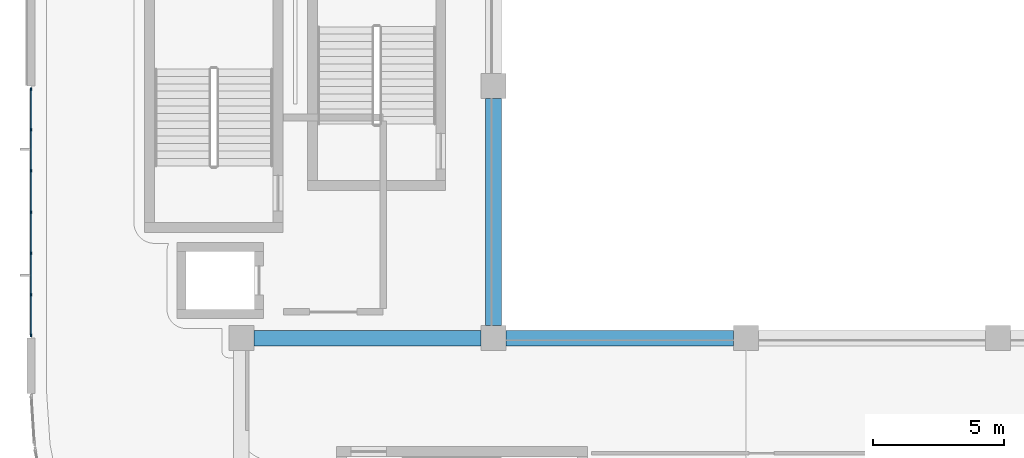
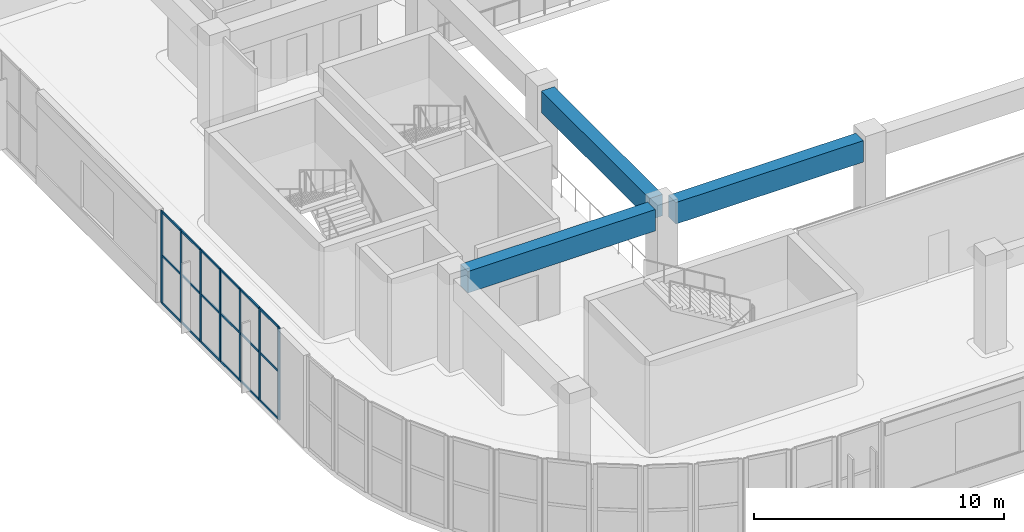
# One storey, part 7 of 86: 25 members, 3 beams, 1 element without a shape of its own.
"""IFC4 building model written with IfcOpenShell, lengths in metres."""

from ifc_helpers import new_model, si_unit, direction, frame, origin, origin_2d, place, context, subcontext, project, spatial, rectangle, extrude, material, layer, layer_set, material_profile, profile_set, type_object, element, aggregate, save


model = new_model("IFC4")

# Units and contexts
model_context = context("Model", 3, precision=1e-05, world=origin(), true_north=direction((0.0, 1.0)))
body_context = subcontext(model_context, "Body", "Model", "MODEL_VIEW")
ifc_project = project(units=[si_unit("LENGTHUNIT", "METRE"), si_unit("AREAUNIT", "SQUARE_METRE"), si_unit("VOLUMEUNIT", "CUBIC_METRE"), si_unit("PLANEANGLEUNIT", "RADIAN"), si_unit("MASSUNIT", "GRAM", prefix="KILO")], contexts=[model_context])

# Site, building, storey
site_placement = place(None, origin())
site = spatial("IfcSite", under=ifc_project, at=site_placement, CompositionType="ELEMENT")
building_placement = place(site_placement, origin())
building = spatial("IfcBuilding", under=site, at=building_placement, Name="Cendralis Terraced Arcade", CompositionType="ELEMENT")
storey_placement = place(building_placement, frame((0.0, 0.0, 5.39990234375)))
storey = spatial("IfcBuildingStorey", under=building, at=storey_placement, Name="L01", CompositionType="ELEMENT", Elevation=5.39990234375)

# Beams
ifc_material_1 = material(Name="Concrete f'c 35 MPa", Category="concrete")
ifc_material_profile_1 = material_profile(ifc_material_1, rectangle(XDim=0.60009765625, YDim=1.050048828125, at=origin_2d()), Name="RC-BM-600x1050", Category="LoadBearing")
ifc_profile_set_1 = profile_set([ifc_material_profile_1], Name="Concrete f'c 35 MPa")
beam_type = type_object("IfcBeamType", Name="BM-600x1050", PredefinedType="JOIST", material=ifc_profile_set_1)
beam_placement = place(storey_placement, frame((10.074951171875, 19.199951171875, 3.97998046875), z_axis=(1.0, 0.0, 0.0), x_axis=(0.0, 1.0, 0.0)))
element("IfcBeam", 1, at=beam_placement, inside=storey, type_object=beam_type, Name="Reinforced Concrete Frame Beam BM-X-L02-C-2_3", PredefinedType="JOIST", context=body_context, shape_type="SweptSolid", body=[
    extrude(rectangle(XDim=0.60009765625, YDim=1.050048828125, at=origin_2d()), origin(), (0.0, 0.0, 1.0), 8.650146484375),
])
for number, where, z_axis, x_axis, name in (
    (2, (19.675048828125, 19.199951171875, 3.97998046875), (1.0, 0.0, 0.0), (0.0, 1.0, 0.0), "Reinforced Concrete Frame Beam BM-X-L02-C-3_4"),
    (3, (19.199951171875, 19.675048828125, 3.97998046875), (0.0, 1.0, 0.0), (-1.0, 0.0, 0.0), "Reinforced Concrete Frame Beam BM-Y-L02-3-C_D"),
):
    element("IfcBeam", number, at=place(storey_placement, frame(where, z_axis=z_axis, x_axis=x_axis)), inside=storey, type_object=beam_type, Name=name, PredefinedType="JOIST", context=body_context, shape_type="SweptSolid", body=[
        extrude(rectangle(XDim=0.60009765625, YDim=1.050048828125, at=origin_2d()), origin(), (0.0, 0.0, 1.0), 8.64990234375),
    ])

# Curtain wall, members
ifc_material_2 = material(Name="Anodised aluminium EN AW-6063 T6", Category="aluminium")
ifc_layer = layer(ifc_material_2, 0.1201171875, Name="CW-STORE-B")
ifc_layer_set = layer_set([ifc_layer], Name="Anodised aluminium EN AW-6063 T6")
curtain_wall_type = type_object("IfcCurtainWallType", Name="CW-STORE-B", PredefinedType="USERDEFINED", material=ifc_layer_set)
curtain_wall_placement = place(storey_placement, origin())
curtain_wall = element("IfcCurtainWall", 4, at=curtain_wall_placement, inside=storey, type_object=curtain_wall_type, Name="Exterior Storefront Glazing CW-L01-0108", ObjectType="STOREFRONT GLAZING", PredefinedType="USERDEFINED")
ifc_material_profile_2 = material_profile(ifc_material_2, rectangle(XDim=0.054931640625, YDim=0.1201171875, at=origin_2d()), Name="ALU-MUL-55x120")
ifc_profile_set_2 = profile_set([ifc_material_profile_2], Name="Anodised aluminium EN AW-6063 T6")
member_type_1 = type_object("IfcMemberType", Name="CW-STORE-B-MUL", PredefinedType="MULLION", material=ifc_profile_set_2)
member_1_placement = place(storey_placement, frame((1.60009765625, 19.3173828125, 0.0), z_axis=(0.0, 0.0, 1.0), x_axis=(-1.0, 0.0, 0.0)))
member_1 = element("IfcMember", 5, at=member_1_placement, type_object=member_type_1, Name="CW-S2 mullion 1", PredefinedType="MULLION", context=body_context, shape_type="SweptSolid", body=[
    extrude(rectangle(XDim=0.054931640625, YDim=0.1201171875, at=origin_2d()), origin(), (0.0, 0.0, 1.0), 4.505126953125),
])
member_2_placement = place(storey_placement, frame((1.60009765625, 20.860107421875, 0.0), z_axis=(0.0, 0.0, 1.0), x_axis=(-1.0, 0.0, 0.0)))
member_2 = element("IfcMember", 6, at=member_2_placement, type_object=member_type_1, Name="CW-S2 mullion 2", PredefinedType="MULLION", context=body_context, shape_type="SweptSolid", body=[
    extrude(rectangle(XDim=0.054931640625, YDim=0.1201171875, at=origin_2d()), origin(), (0.0, 0.0, 1.0), 4.505126953125),
])
member_3_placement = place(storey_placement, frame((1.60009765625, 22.429931640625, 0.0), z_axis=(0.0, 0.0, 1.0), x_axis=(-1.0, 0.0, 0.0)))
member_3 = element("IfcMember", 7, at=member_3_placement, type_object=member_type_1, Name="CW-S2 mullion 3", PredefinedType="MULLION", context=body_context, shape_type="SweptSolid", body=[
    extrude(rectangle(XDim=0.054931640625, YDim=0.1201171875, at=origin_2d()), origin(), (0.0, 0.0, 1.0), 4.505126953125),
])
member_4_placement = place(storey_placement, frame((1.60009765625, 24.0, 0.0), z_axis=(0.0, 0.0, 1.0), x_axis=(-1.0, 0.0, 0.0)))
member_4 = element("IfcMember", 8, at=member_4_placement, type_object=member_type_1, Name="CW-S2 mullion 4", PredefinedType="MULLION", context=body_context, shape_type="SweptSolid", body=[
    extrude(rectangle(XDim=0.054931640625, YDim=0.1201171875, at=origin_2d()), origin(), (0.0, 0.0, 1.0), 4.505126953125),
])
member_5_placement = place(storey_placement, frame((1.60009765625, 25.570068359375, 0.0), z_axis=(0.0, 0.0, 1.0), x_axis=(-1.0, 0.0, 0.0)))
member_5 = element("IfcMember", 9, at=member_5_placement, type_object=member_type_1, Name="CW-S2 mullion 5", PredefinedType="MULLION", context=body_context, shape_type="SweptSolid", body=[
    extrude(rectangle(XDim=0.054931640625, YDim=0.1201171875, at=origin_2d()), origin(), (0.0, 0.0, 1.0), 4.505126953125),
])
member_6_placement = place(storey_placement, frame((1.60009765625, 27.139892578125, 0.0), z_axis=(0.0, 0.0, 1.0), x_axis=(-1.0, 0.0, 0.0)))
member_6 = element("IfcMember", 10, at=member_6_placement, type_object=member_type_1, Name="CW-S2 mullion 6", PredefinedType="MULLION", context=body_context, shape_type="SweptSolid", body=[
    extrude(rectangle(XDim=0.054931640625, YDim=0.1201171875, at=origin_2d()), origin(), (0.0, 0.0, 1.0), 4.505126953125),
])
member_7_placement = place(storey_placement, frame((1.60009765625, 28.6826171875, 0.0), z_axis=(0.0, 0.0, 1.0), x_axis=(-1.0, 0.0, 0.0)))
member_7 = element("IfcMember", 11, at=member_7_placement, type_object=member_type_1, Name="CW-S2 mullion 7", PredefinedType="MULLION", context=body_context, shape_type="SweptSolid", body=[
    extrude(rectangle(XDim=0.054931640625, YDim=0.1201171875, at=origin_2d()), origin(), (0.0, 0.0, 1.0), 4.505126953125),
])
ifc_material_profile_3 = material_profile(ifc_material_2, rectangle(XDim=0.054931640625, YDim=0.10009765625, at=origin_2d()), Name="ALU-TRN-55x100")
ifc_profile_set_3 = profile_set([ifc_material_profile_3], Name="Anodised aluminium EN AW-6063 T6")
member_type_2 = type_object("IfcMemberType", Name="CW-STORE-B-TRN", PredefinedType="USERDEFINED", material=ifc_profile_set_3)
member_8_placement = place(storey_placement, frame((1.60009765625, 19.344970703125, 0.027587890625), z_axis=(0.0, 1.0, 0.0), x_axis=(-1.0, 0.0, 0.0)))
member_8 = element("IfcMember", 12, at=member_8_placement, type_object=member_type_2, Name="CW-S2 transom 1.1", ObjectType="TRANSOM", PredefinedType="USERDEFINED", context=body_context, shape_type="SweptSolid", body=[
    extrude(rectangle(XDim=0.054931640625, YDim=0.10009765625, at=origin_2d()), origin(), (0.0, 0.0, 1.0), 1.487548828125),
])
member_9_placement = place(storey_placement, frame((1.60009765625, 19.344970703125, 2.3427734375), z_axis=(0.0, 1.0, 0.0), x_axis=(-1.0, 0.0, 0.0)))
member_9 = element("IfcMember", 13, at=member_9_placement, type_object=member_type_2, Name="CW-S2 transom 1.2", ObjectType="TRANSOM", PredefinedType="USERDEFINED", context=body_context, shape_type="SweptSolid", body=[
    extrude(rectangle(XDim=0.054931640625, YDim=0.10009765625, at=origin_2d()), origin(), (0.0, 0.0, 1.0), 1.487548828125),
])
member_10_placement = place(storey_placement, frame((1.60009765625, 19.344970703125, 4.4775390625), z_axis=(0.0, 1.0, 0.0), x_axis=(-1.0, 0.0, 0.0)))
member_10 = element("IfcMember", 14, at=member_10_placement, type_object=member_type_2, Name="CW-S2 transom 1.3", ObjectType="TRANSOM", PredefinedType="USERDEFINED", context=body_context, shape_type="SweptSolid", body=[
    extrude(rectangle(XDim=0.054931640625, YDim=0.10009765625, at=origin_2d()), origin(), (0.0, 0.0, 1.0), 1.487548828125),
])
member_11_placement = place(storey_placement, frame((1.60009765625, 20.887451171875, 0.027587890625), z_axis=(0.0, 1.0, 0.0), x_axis=(-1.0, 0.0, 0.0)))
member_11 = element("IfcMember", 15, at=member_11_placement, type_object=member_type_2, Name="CW-S2 transom 2.1", ObjectType="TRANSOM", PredefinedType="USERDEFINED", context=body_context, shape_type="SweptSolid", body=[
    extrude(rectangle(XDim=0.054931640625, YDim=0.10009765625, at=origin_2d()), origin(), (0.0, 0.0, 1.0), 1.51513671875),
])
member_12_placement = place(storey_placement, frame((1.60009765625, 20.887451171875, 2.3427734375), z_axis=(0.0, 1.0, 0.0), x_axis=(-1.0, 0.0, 0.0)))
member_12 = element("IfcMember", 16, at=member_12_placement, type_object=member_type_2, Name="CW-S2 transom 2.2", ObjectType="TRANSOM", PredefinedType="USERDEFINED", context=body_context, shape_type="SweptSolid", body=[
    extrude(rectangle(XDim=0.054931640625, YDim=0.10009765625, at=origin_2d()), origin(), (0.0, 0.0, 1.0), 1.51513671875),
])
member_13_placement = place(storey_placement, frame((1.60009765625, 20.887451171875, 4.4775390625), z_axis=(0.0, 1.0, 0.0), x_axis=(-1.0, 0.0, 0.0)))
member_13 = element("IfcMember", 17, at=member_13_placement, type_object=member_type_2, Name="CW-S2 transom 2.3", ObjectType="TRANSOM", PredefinedType="USERDEFINED", context=body_context, shape_type="SweptSolid", body=[
    extrude(rectangle(XDim=0.054931640625, YDim=0.10009765625, at=origin_2d()), origin(), (0.0, 0.0, 1.0), 1.51513671875),
])
member_14_placement = place(storey_placement, frame((1.60009765625, 22.45751953125, 0.027587890625), z_axis=(0.0, 1.0, 0.0), x_axis=(-1.0, 0.0, 0.0)))
member_14 = element("IfcMember", 18, at=member_14_placement, type_object=member_type_2, Name="CW-S2 transom 3.1", ObjectType="TRANSOM", PredefinedType="USERDEFINED", context=body_context, shape_type="SweptSolid", body=[
    extrude(rectangle(XDim=0.054931640625, YDim=0.10009765625, at=origin_2d()), origin(), (0.0, 0.0, 1.0), 1.514892578125),
])
member_15_placement = place(storey_placement, frame((1.60009765625, 22.45751953125, 2.3427734375), z_axis=(0.0, 1.0, 0.0), x_axis=(-1.0, 0.0, 0.0)))
member_15 = element("IfcMember", 19, at=member_15_placement, type_object=member_type_2, Name="CW-S2 transom 3.2", ObjectType="TRANSOM", PredefinedType="USERDEFINED", context=body_context, shape_type="SweptSolid", body=[
    extrude(rectangle(XDim=0.054931640625, YDim=0.10009765625, at=origin_2d()), origin(), (0.0, 0.0, 1.0), 1.514892578125),
])
member_16_placement = place(storey_placement, frame((1.60009765625, 22.45751953125, 4.4775390625), z_axis=(0.0, 1.0, 0.0), x_axis=(-1.0, 0.0, 0.0)))
member_16 = element("IfcMember", 20, at=member_16_placement, type_object=member_type_2, Name="CW-S2 transom 3.3", ObjectType="TRANSOM", PredefinedType="USERDEFINED", context=body_context, shape_type="SweptSolid", body=[
    extrude(rectangle(XDim=0.054931640625, YDim=0.10009765625, at=origin_2d()), origin(), (0.0, 0.0, 1.0), 1.514892578125),
])
member_17_placement = place(storey_placement, frame((1.60009765625, 24.027587890625, 0.027587890625), z_axis=(0.0, 1.0, 0.0), x_axis=(-1.0, 0.0, 0.0)))
member_17 = element("IfcMember", 21, at=member_17_placement, type_object=member_type_2, Name="CW-S2 transom 4.1", ObjectType="TRANSOM", PredefinedType="USERDEFINED", context=body_context, shape_type="SweptSolid", body=[
    extrude(rectangle(XDim=0.054931640625, YDim=0.10009765625, at=origin_2d()), origin(), (0.0, 0.0, 1.0), 1.514892578125),
])
member_18_placement = place(storey_placement, frame((1.60009765625, 24.027587890625, 2.3427734375), z_axis=(0.0, 1.0, 0.0), x_axis=(-1.0, 0.0, 0.0)))
member_18 = element("IfcMember", 22, at=member_18_placement, type_object=member_type_2, Name="CW-S2 transom 4.2", ObjectType="TRANSOM", PredefinedType="USERDEFINED", context=body_context, shape_type="SweptSolid", body=[
    extrude(rectangle(XDim=0.054931640625, YDim=0.10009765625, at=origin_2d()), origin(), (0.0, 0.0, 1.0), 1.514892578125),
])
member_19_placement = place(storey_placement, frame((1.60009765625, 24.027587890625, 4.4775390625), z_axis=(0.0, 1.0, 0.0), x_axis=(-1.0, 0.0, 0.0)))
member_19 = element("IfcMember", 23, at=member_19_placement, type_object=member_type_2, Name="CW-S2 transom 4.3", ObjectType="TRANSOM", PredefinedType="USERDEFINED", context=body_context, shape_type="SweptSolid", body=[
    extrude(rectangle(XDim=0.054931640625, YDim=0.10009765625, at=origin_2d()), origin(), (0.0, 0.0, 1.0), 1.514892578125),
])
member_20_placement = place(storey_placement, frame((1.60009765625, 25.597412109375, 0.027587890625), z_axis=(0.0, 1.0, 0.0), x_axis=(-1.0, 0.0, 0.0)))
member_20 = element("IfcMember", 24, at=member_20_placement, type_object=member_type_2, Name="CW-S2 transom 5.1", ObjectType="TRANSOM", PredefinedType="USERDEFINED", context=body_context, shape_type="SweptSolid", body=[
    extrude(rectangle(XDim=0.054931640625, YDim=0.10009765625, at=origin_2d()), origin(), (0.0, 0.0, 1.0), 1.51513671875),
])
member_21_placement = place(storey_placement, frame((1.60009765625, 25.597412109375, 2.3427734375), z_axis=(0.0, 1.0, 0.0), x_axis=(-1.0, 0.0, 0.0)))
member_21 = element("IfcMember", 25, at=member_21_placement, type_object=member_type_2, Name="CW-S2 transom 5.2", ObjectType="TRANSOM", PredefinedType="USERDEFINED", context=body_context, shape_type="SweptSolid", body=[
    extrude(rectangle(XDim=0.054931640625, YDim=0.10009765625, at=origin_2d()), origin(), (0.0, 0.0, 1.0), 1.51513671875),
])
member_22_placement = place(storey_placement, frame((1.60009765625, 25.597412109375, 4.4775390625), z_axis=(0.0, 1.0, 0.0), x_axis=(-1.0, 0.0, 0.0)))
member_22 = element("IfcMember", 26, at=member_22_placement, type_object=member_type_2, Name="CW-S2 transom 5.3", ObjectType="TRANSOM", PredefinedType="USERDEFINED", context=body_context, shape_type="SweptSolid", body=[
    extrude(rectangle(XDim=0.054931640625, YDim=0.10009765625, at=origin_2d()), origin(), (0.0, 0.0, 1.0), 1.51513671875),
])
member_23_placement = place(storey_placement, frame((1.60009765625, 27.16748046875, 0.027587890625), z_axis=(0.0, 1.0, 0.0), x_axis=(-1.0, 0.0, 0.0)))
member_23 = element("IfcMember", 27, at=member_23_placement, type_object=member_type_2, Name="CW-S2 transom 6.1", ObjectType="TRANSOM", PredefinedType="USERDEFINED", context=body_context, shape_type="SweptSolid", body=[
    extrude(rectangle(XDim=0.054931640625, YDim=0.10009765625, at=origin_2d()), origin(), (0.0, 0.0, 1.0), 1.487548828125),
])
member_24_placement = place(storey_placement, frame((1.60009765625, 27.16748046875, 2.3427734375), z_axis=(0.0, 1.0, 0.0), x_axis=(-1.0, 0.0, 0.0)))
member_24 = element("IfcMember", 28, at=member_24_placement, type_object=member_type_2, Name="CW-S2 transom 6.2", ObjectType="TRANSOM", PredefinedType="USERDEFINED", context=body_context, shape_type="SweptSolid", body=[
    extrude(rectangle(XDim=0.054931640625, YDim=0.10009765625, at=origin_2d()), origin(), (0.0, 0.0, 1.0), 1.487548828125),
])
member_25_placement = place(storey_placement, frame((1.60009765625, 27.16748046875, 4.4775390625), z_axis=(0.0, 1.0, 0.0), x_axis=(-1.0, 0.0, 0.0)))
member_25 = element("IfcMember", 29, at=member_25_placement, type_object=member_type_2, Name="CW-S2 transom 6.3", ObjectType="TRANSOM", PredefinedType="USERDEFINED", context=body_context, shape_type="SweptSolid", body=[
    extrude(rectangle(XDim=0.054931640625, YDim=0.10009765625, at=origin_2d()), origin(), (0.0, 0.0, 1.0), 1.487548828125),
])
aggregate(curtain_wall, [member_1, member_2, member_3, member_4, member_5, member_6, member_7, member_8, member_9, member_10, member_11, member_12, member_13, member_14, member_15, member_16, member_17, member_18, member_19, member_20, member_21, member_22, member_23, member_24, member_25])

save(model, "model.ifc")
